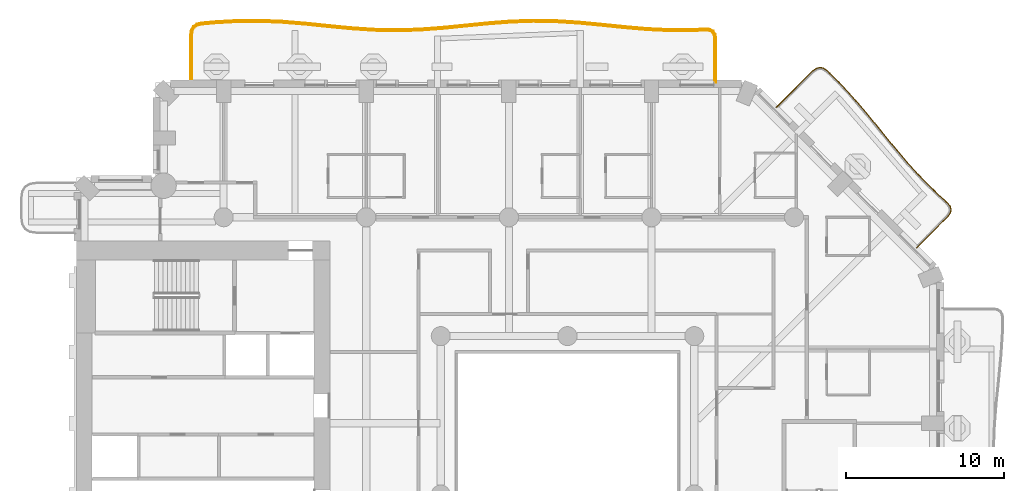
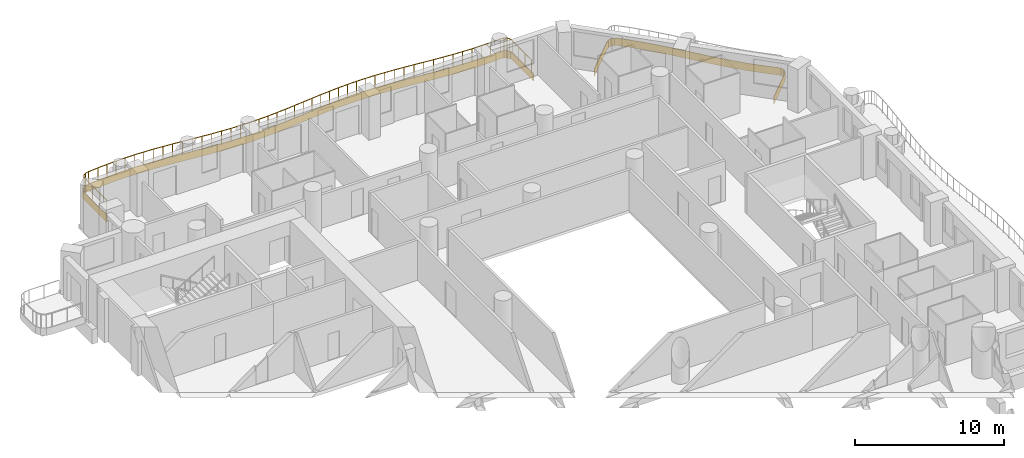
# One storey, part 18 of 20: 2 coverings, 1 railing.
"""IFC4 building model written with IfcOpenShell, lengths in metres."""

from ifc_helpers import new_model, si_unit, direction, frame, origin, origin_2d, place, context, subcontext, project, spatial, polyline, rectangle, outline, extrude, material, layer, layer_set, type_object, element, save


model = new_model("IFC4")

# Units and contexts
model_context = context("Model", 3, precision=1e-05, world=origin(), true_north=direction((0.0, 1.0)))
body_context = subcontext(model_context, "Body", "Model", "MODEL_VIEW")
ifc_project = project(units=[si_unit("LENGTHUNIT", "METRE"), si_unit("AREAUNIT", "SQUARE_METRE"), si_unit("VOLUMEUNIT", "CUBIC_METRE"), si_unit("PLANEANGLEUNIT", "RADIAN"), si_unit("MASSUNIT", "GRAM", prefix="KILO")], contexts=[model_context])

# Site, building, storey
site_placement = place(None, origin())
site = spatial("IfcSite", under=ifc_project, at=site_placement, CompositionType="ELEMENT")
building_placement = place(site_placement, origin())
building = spatial("IfcBuilding", under=site, at=building_placement, Name="Cypress Arch Tower", CompositionType="ELEMENT")
storey_placement = place(building_placement, frame((0.0, 0.0, 62.699951171875)))
storey = spatial("IfcBuildingStorey", under=building, at=storey_placement, Name="L09", CompositionType="ELEMENT", Elevation=62.699951171875)

# Coverings
ifc_material_1 = material(Name="White powder-coated aluminium fascia", Category="aluminium")
ifc_layer = layer(ifc_material_1, 0.050048828125)
ifc_layer_set = layer_set([ifc_layer], Name="Balcony fascia BF50")
covering_type = type_object("IfcCoveringType", Name="Balcony fascia BF50", PredefinedType="CLADDING", material=ifc_layer_set)
covering_1_placement = place(storey_placement, frame((0.0, 0.0, -0.599853515625)))
element("IfcCovering", 1, at=covering_1_placement, inside=storey, type_object=covering_type, Name="Balcony fascia L09-A07", PredefinedType="CLADDING", context=body_context, shape_type="SweptSolid", body=[
    extrude(outline(polyline([(16.455810546875, 26.74462890625), (16.687744140625, 26.918701171875), (16.931396484375, 26.98095703125), (17.176025390625, 26.92333984375), (17.4111328125, 26.753662109375), (17.963623046875, 26.2216796875), (18.9150390625, 25.21044921875), (19.82421875, 24.157470703125), (20.70751953125, 23.080322265625), (21.587158203125, 22.0009765625), (22.48583984375, 20.942138671875), (23.42236328125, 19.922119140625), (24.406494140625, 18.9501953125), (24.97607421875, 18.438720703125), (25.16064453125, 18.2177734375), (25.229736328125, 17.98193359375), (25.173583984375, 17.74267578125), (25.0009765625, 17.51220703125), (23.045166015625, 15.556396484375), (23.009765625, 15.591796875), (24.963134765625, 17.544921875), (25.127197265625, 17.764404296875), (25.177978515625, 17.98046875), (25.11572265625, 18.193603515625), (24.93994140625, 18.40380859375), (24.372314453125, 18.913818359375), (23.386474609375, 19.887451171875), (22.448486328125, 20.9091796875), (21.548583984375, 21.968994140625), (20.6689453125, 23.048583984375), (19.7861328125, 24.12548828125), (18.8779296875, 25.1767578125), (17.92822265625, 26.1865234375), (17.37890625, 26.71533203125), (17.15478515625, 26.876953125), (16.931884765625, 26.929443359375), (16.709716796875, 26.872802734375), (16.48876953125, 26.706787109375), (14.191650390625, 24.40966796875), (14.15625, 24.445068359375), (16.455810546875, 26.74462890625)])), origin(), (0.0, 0.0, 1.0), 0.599853515625),
])
covering_2_placement = place(storey_placement, frame((0.0, 0.0, -0.599853515625)))
element("IfcCovering", 2, at=covering_2_placement, inside=storey, type_object=covering_type, Name="Balcony fascia L09-A08", PredefinedType="CLADDING", context=body_context, shape_type="SweptSolid", body=[
    extrude(outline(polyline([(-22.800048828125, 29.020751953125), (-22.7578125, 29.32177734375), (-22.6259765625, 29.554443359375), (-22.406494140625, 29.706787109375), (-22.1103515625, 29.776611328125), (-21.314697265625, 29.849853515625), (-19.873291015625, 29.932861328125), (-18.431884765625, 29.946044921875), (-16.990478515625, 29.885986328125), (-15.5498046875, 29.767333984375), (-14.1103515625, 29.619873046875), (-12.671875, 29.47998046875), (-11.234619140625, 29.382080078125), (-9.798095703125, 29.35009765625), (-8.361328125, 29.392333984375), (-6.923828125, 29.498046875), (-5.4853515625, 29.641357421875), (-4.045654296875, 29.786865234375), (-2.60498046875, 29.8984375), (-1.16357421875, 29.94873046875), (0.278076171875, 29.925048828125), (1.71923828125, 29.833251953125), (3.1591796875, 29.6962890625), (4.59814453125, 29.5478515625), (6.035888671875, 29.4248046875), (7.472900390625, 29.357177734375), (8.909423828125, 29.36181640625), (9.703369140625, 29.40380859375), (10.00048828125, 29.376953125), (10.2236328125, 29.254638671875), (10.357421875, 29.038330078125), (10.39990234375, 28.742919921875), (10.39990234375, 26.0009765625), (10.35009765625, 26.0009765625), (10.35009765625, 28.7392578125), (10.3095703125, 29.02099609375), (10.18798828125, 29.21728515625), (9.98583984375, 29.328125), (9.702392578125, 29.353759765625), (8.910888671875, 29.31201171875), (7.4716796875, 29.30712890625), (6.03271484375, 29.374755859375), (4.593505859375, 29.498046875), (3.154296875, 29.646484375), (1.71533203125, 29.783447265625), (0.276123046875, 29.875), (-1.1630859375, 29.898681640625), (-2.602294921875, 29.8486328125), (-4.041259765625, 29.737060546875), (-5.48046875, 29.591552734375), (-6.919677734375, 29.4482421875), (-8.358642578125, 29.34228515625), (-9.7978515625, 29.30029296875), (-11.237060546875, 29.33203125), (-12.676025390625, 29.43017578125), (-14.115234375, 29.5703125), (-15.554443359375, 29.717529296875), (-16.993408203125, 29.8359375), (-18.4326171875, 29.89599609375), (-19.871826171875, 29.8828125), (-21.310791015625, 29.7998046875), (-22.102294921875, 29.72705078125), (-22.3857421875, 29.660400390625), (-22.588134765625, 29.519775390625), (-22.70947265625, 29.305419921875), (-22.75, 29.01708984375), (-22.75, 26.0009765625), (-22.800048828125, 26.0009765625), (-22.800048828125, 29.020751953125)])), origin(), (0.0, 0.0, 1.0), 0.599853515625),
])

# Railing
ifc_material_2 = material(Name="Powder-coated steel posts and rods, 100 mm clear between rods", Category="steel")
railing_type = type_object("IfcRailingType", Name="Balcony guard GR1100", PredefinedType="GUARDRAIL", material=ifc_material_2)
railing_placement = place(storey_placement, frame((-22.699951171875, 26.14990234375, 0.0)))
element("IfcRailing", 3, at=railing_placement, inside=storey, type_object=railing_type, Name="Balcony guard L09-A08", PredefinedType="GUARDRAIL", context=body_context, shape_type="SweptSolid", body=[
    extrude(rectangle(XDim=0.050048828125, YDim=0.050048828125, at=origin_2d()), frame((0.0, 0.0, 1.0751953125), z_axis=(0.0, 1.0, 0.0), x_axis=(-1.0, 0.0, 0.0)), (0.0, 0.0, 1.0), 2.86376953125),
    extrude(rectangle(XDim=0.050048828125, YDim=0.050048828125, at=origin_2d()), frame((0.0, 2.86376953125, 1.0751953125), z_axis=(0.13871673035, 0.990332100217, 0.0), x_axis=(-0.990332100217, 0.13871673035, 0.0)), (0.0, 0.0, 1.0), 0.278076171875),
    extrude(rectangle(XDim=0.050048828125, YDim=0.050048828125, at=origin_2d()), frame((0.03857421875, 3.13916015625, 1.0751953125), z_axis=(0.492520878241, 0.870300628804, 0.0), x_axis=(-0.870300628804, 0.492520878241, 0.0)), (0.0, 0.0, 1.0), 0.2255859375),
    extrude(rectangle(XDim=0.050048828125, YDim=0.050048828125, at=origin_2d()), frame((0.149658203125, 3.33544921875, 1.0751953125), z_axis=(0.821919206985, 0.569604088108, 0.0), x_axis=(-0.569604088108, 0.821919206985, 0.0)), (0.0, 0.0, 1.0), 0.225341796875),
    extrude(rectangle(XDim=0.050048828125, YDim=0.050048828125, at=origin_2d()), frame((0.3349609375, 3.4638671875, 1.0751953125), z_axis=(0.973405655855, 0.229088256247, 0.0), x_axis=(-0.229088256247, 0.973405655855, 0.0)), (0.0, 0.0, 1.0), 0.278076171875),
    extrude(rectangle(XDim=0.050048828125, YDim=0.050048828125, at=origin_2d()), frame((0.605712890625, 3.527587890625, 1.0751953125), z_axis=(0.995783623955, 0.091733168832, 0.0), x_axis=(-0.091733168832, 0.995783623955, 0.0)), (0.0, 0.0, 1.0), 0.79052734375),
    extrude(rectangle(XDim=0.050048828125, YDim=0.050048828125, at=origin_2d()), frame((1.392822265625, 3.60009765625, 1.0751953125), z_axis=(0.998335812911, 0.057668055792, 0.0), x_axis=(-0.057668055792, 0.998335812911, 0.0)), (0.0, 0.0, 1.0), 1.439453125),
    extrude(rectangle(XDim=0.050048828125, YDim=0.050048828125, at=origin_2d()), frame((2.829833984375, 3.68310546875, 1.0751953125), z_axis=(0.999959448923, 0.009005582123, 0.0), x_axis=(-0.009005582123, 0.999959448923, 0.0)), (0.0, 0.0, 1.0), 1.436767578125),
    extrude(rectangle(XDim=0.050048828125, YDim=0.050048828125, at=origin_2d()), frame((4.2666015625, 3.696044921875, 1.0751953125), z_axis=(0.999134543668, -0.041595235888, 0.0), x_axis=(0.041595235888, 0.999134543668, 0.0)), (0.0, 0.0, 1.0), 1.43798828125),
    extrude(rectangle(XDim=0.050048828125, YDim=0.050048828125, at=origin_2d()), frame((5.703369140625, 3.63623046875, 1.0751953125), z_axis=(0.996639652068, -0.081910951197, 0.0), x_axis=(0.081910951197, 0.996639652068, 0.0)), (0.0, 0.0, 1.0), 1.442626953125),
    extrude(rectangle(XDim=0.050048828125, YDim=0.050048828125, at=origin_2d()), frame((7.14111328125, 3.51806640625, 1.0751953125), z_axis=(0.994788465361, -0.101960331423, 0.0), x_axis=(0.101960331423, 0.994788465361, 0.0)), (0.0, 0.0, 1.0), 1.4462890625),
    extrude(rectangle(XDim=0.050048828125, YDim=0.050048828125, at=origin_2d()), frame((8.579833984375, 3.37060546875, 1.0751953125), z_axis=(0.995297676193, -0.096863490359, 0.0), x_axis=(0.096863490359, 0.995297676193, 0.0)), (0.0, 0.0, 1.0), 1.44677734375),
    extrude(rectangle(XDim=0.050048828125, YDim=0.050048828125, at=origin_2d()), frame((10.019775390625, 3.23046875, 1.0751953125), z_axis=(0.997688383516, -0.067955054248, 0.0), x_axis=(0.067955054248, 0.997688383516, 0.0)), (0.0, 0.0, 1.0), 1.4443359375),
    extrude(rectangle(XDim=0.050048828125, YDim=0.050048828125, at=origin_2d()), frame((11.460693359375, 3.13232421875, 1.0751953125), z_axis=(0.999754012792, -0.022179132206, 0.0), x_axis=(0.022179132206, 0.999754012792, 0.0)), (0.0, 0.0, 1.0), 1.44189453125),
    extrude(rectangle(XDim=0.050048828125, YDim=0.050048828125, at=origin_2d()), frame((12.90234375, 3.100341796875, 1.0751953125), z_axis=(0.999570967736, 0.029289596446, 0.0), x_axis=(-0.029289596446, 0.999570967736, 0.0)), (0.0, 0.0, 1.0), 1.442138671875),
    extrude(rectangle(XDim=0.050048828125, YDim=0.050048828125, at=origin_2d()), frame((14.34375, 3.142578125, 1.0751953125), z_axis=(0.997307261807, 0.073336386246, 0.0), x_axis=(-0.073336386246, 0.997307261807, 0.0)), (0.0, 0.0, 1.0), 1.44482421875),
    extrude(rectangle(XDim=0.050048828125, YDim=0.050048828125, at=origin_2d()), frame((15.78466796875, 3.24853515625, 1.0751953125), z_axis=(0.995083852887, 0.099035981968, 0.0), x_axis=(-0.099035981968, 0.995083852887, 0.0)), (0.0, 0.0, 1.0), 1.447021484375),
    extrude(rectangle(XDim=0.050048828125, YDim=0.050048828125, at=origin_2d()), frame((17.224609375, 3.391845703125, 1.0751953125), z_axis=(0.994922852849, 0.100640532977, 0.0), x_axis=(-0.100640532977, 0.994922852849, 0.0)), (0.0, 0.0, 1.0), 1.44580078125),
    extrude(rectangle(XDim=0.050048828125, YDim=0.050048828125, at=origin_2d()), frame((18.6630859375, 3.537353515625, 1.0751953125), z_axis=(0.997014508637, 0.077214438848, 0.0), x_axis=(-0.077214438848, 0.997014508637, 0.0)), (0.0, 0.0, 1.0), 1.44189453125),
    extrude(rectangle(XDim=0.050048828125, YDim=0.050048828125, at=origin_2d()), frame((20.1005859375, 3.648681640625, 1.0751953125), z_axis=(0.999393836513, 0.034813209258, 0.0), x_axis=(-0.034813209258, 0.999393836513, 0.0)), (0.0, 0.0, 1.0), 1.437744140625),
    extrude(rectangle(XDim=0.050048828125, YDim=0.050048828125, at=origin_2d()), frame((21.537353515625, 3.69873046875, 1.0751953125), z_axis=(0.999866975121, -0.016310489314, 0.0), x_axis=(0.016310489314, 0.999866975121, 0.0)), (0.0, 0.0, 1.0), 1.43701171875),
    extrude(rectangle(XDim=0.050048828125, YDim=0.050048828125, at=origin_2d()), frame((22.97412109375, 3.67529296875, 1.0751953125), z_axis=(0.997976643693, -0.063581590449, 0.0), x_axis=(0.063581590449, 0.997976643693, 0.0)), (0.0, 0.0, 1.0), 1.43994140625),
    extrude(rectangle(XDim=0.050048828125, YDim=0.050048828125, at=origin_2d()), frame((24.4111328125, 3.583740234375, 1.0751953125), z_axis=(0.995496232049, -0.094801118007, 0.0), x_axis=(0.094801118007, 0.995496232049, 0.0)), (0.0, 0.0, 1.0), 1.44482421875),
    extrude(rectangle(XDim=0.050048828125, YDim=0.050048828125, at=origin_2d()), frame((25.849365234375, 3.44677734375, 1.0751953125), z_axis=(0.994725087, -0.102576806801, 0.0), x_axis=(0.102576806801, 0.994725087, 0.0)), (0.0, 0.0, 1.0), 1.447021484375),
    extrude(rectangle(XDim=0.050048828125, YDim=0.050048828125, at=origin_2d()), frame((27.288818359375, 3.29833984375, 1.0751953125), z_axis=(0.996356905666, -0.085281396163, 0.0), x_axis=(0.085281396163, 0.996356905666, 0.0)), (0.0, 0.0, 1.0), 1.44580078125),
    extrude(rectangle(XDim=0.050048828125, YDim=0.050048828125, at=origin_2d()), frame((28.729248046875, 3.175048828125, 1.0751953125), z_axis=(0.998893260383, -0.047034608128, 0.0), x_axis=(0.047034608128, 0.998893260383, 0.0)), (0.0, 0.0, 1.0), 1.443115234375),
    extrude(rectangle(XDim=0.050048828125, YDim=0.050048828125, at=origin_2d()), frame((30.170654296875, 3.107177734375, 1.0751953125), z_axis=(0.9999942643, 0.003386940777, 0.0), x_axis=(-0.003386940777, 0.9999942643, 0.0)), (0.0, 0.0, 1.0), 1.441650390625),
    extrude(rectangle(XDim=0.050048828125, YDim=0.050048828125, at=origin_2d()), frame((31.6123046875, 3.112060546875, 1.0751953125), z_axis=(0.998619535871, 0.052526398855, 0.0), x_axis=(-0.052526398855, 0.998619535871, 0.0)), (0.0, 0.0, 1.0), 0.7900390625),
    extrude(rectangle(XDim=0.050048828125, YDim=0.050048828125, at=origin_2d()), frame((32.4013671875, 3.153564453125, 1.0751953125), z_axis=(0.996003382405, -0.089315520705, 0.0), x_axis=(0.089315520705, 0.996003382405, 0.0)), (0.0, 0.0, 1.0), 0.2705078125),
    extrude(rectangle(XDim=0.050048828125, YDim=0.050048828125, at=origin_2d()), frame((32.6708984375, 3.12939453125, 1.0751953125), z_axis=(0.876812408671, -0.480832611207, 0.0), x_axis=(0.480832611207, 0.876812408671, 0.0)), (0.0, 0.0, 1.0), 0.207275390625),
    extrude(rectangle(XDim=0.050048828125, YDim=0.050048828125, at=origin_2d()), frame((32.8525390625, 3.02978515625, 1.0751953125), z_axis=(0.525543053659, -0.850767006148, 0.0), x_axis=(0.850767006148, 0.525543053659, 0.0)), (0.0, 0.0, 1.0), 0.207275390625),
    extrude(rectangle(XDim=0.050048828125, YDim=0.050048828125, at=origin_2d()), frame((32.96142578125, 2.853515625, 1.0751953125), z_axis=(0.142685543184, -0.989768071705, 0.0), x_axis=(0.989768071705, 0.142685543184, 0.0)), (0.0, 0.0, 1.0), 0.270263671875),
    extrude(rectangle(XDim=0.050048828125, YDim=0.050048828125, at=origin_2d()), frame((33.0, 2.5859375, 1.0751953125), z_axis=(0.0, -1.0, 0.0), x_axis=(1.0, 0.0, 0.0)), (0.0, 0.0, 1.0), 2.5859375),
    extrude(rectangle(XDim=0.0400390625, YDim=0.0400390625, at=origin_2d()), origin(), (0.0, 0.0, 1.0), 1.050048828125),
    extrude(rectangle(XDim=0.0400390625, YDim=0.0400390625, at=origin_2d()), frame((0.0, 0.95458984375, 0.0)), (0.0, 0.0, 1.0), 1.050048828125),
    extrude(rectangle(XDim=0.0400390625, YDim=0.0400390625, at=origin_2d()), frame((0.0, 1.9091796875, 0.0)), (0.0, 0.0, 1.0), 1.050048828125),
    extrude(rectangle(XDim=0.0400390625, YDim=0.0400390625, at=origin_2d()), frame((0.0, 2.86376953125, 0.0)), (0.0, 0.0, 1.0), 1.050048828125),
    extrude(rectangle(XDim=0.0400390625, YDim=0.0400390625, at=origin_2d()), frame((0.03857421875, 3.13916015625, 0.0)), (0.0, 0.0, 1.0), 1.050048828125),
    extrude(rectangle(XDim=0.0400390625, YDim=0.0400390625, at=origin_2d()), frame((0.149658203125, 3.33544921875, 0.0)), (0.0, 0.0, 1.0), 1.050048828125),
    extrude(rectangle(XDim=0.0400390625, YDim=0.0400390625, at=origin_2d()), frame((0.3349609375, 3.4638671875, 0.0)), (0.0, 0.0, 1.0), 1.050048828125),
    extrude(rectangle(XDim=0.0400390625, YDim=0.0400390625, at=origin_2d()), frame((0.605712890625, 3.527587890625, 0.0)), (0.0, 0.0, 1.0), 1.050048828125),
    extrude(rectangle(XDim=0.0400390625, YDim=0.0400390625, at=origin_2d()), frame((1.392822265625, 3.60009765625, 0.0)), (0.0, 0.0, 1.0), 1.050048828125),
    extrude(rectangle(XDim=0.0400390625, YDim=0.0400390625, at=origin_2d()), frame((2.111328125, 3.6416015625, 0.0)), (0.0, 0.0, 1.0), 1.050048828125),
    extrude(rectangle(XDim=0.0400390625, YDim=0.0400390625, at=origin_2d()), frame((2.829833984375, 3.68310546875, 0.0)), (0.0, 0.0, 1.0), 1.050048828125),
    extrude(rectangle(XDim=0.0400390625, YDim=0.0400390625, at=origin_2d()), frame((3.54833984375, 3.689453125, 0.0)), (0.0, 0.0, 1.0), 1.050048828125),
    extrude(rectangle(XDim=0.0400390625, YDim=0.0400390625, at=origin_2d()), frame((4.2666015625, 3.696044921875, 0.0)), (0.0, 0.0, 1.0), 1.050048828125),
    extrude(rectangle(XDim=0.0400390625, YDim=0.0400390625, at=origin_2d()), frame((4.98486328125, 3.666015625, 0.0)), (0.0, 0.0, 1.0), 1.050048828125),
    extrude(rectangle(XDim=0.0400390625, YDim=0.0400390625, at=origin_2d()), frame((5.703369140625, 3.63623046875, 0.0)), (0.0, 0.0, 1.0), 1.050048828125),
    extrude(rectangle(XDim=0.0400390625, YDim=0.0400390625, at=origin_2d()), frame((6.42236328125, 3.5771484375, 0.0)), (0.0, 0.0, 1.0), 1.050048828125),
    extrude(rectangle(XDim=0.0400390625, YDim=0.0400390625, at=origin_2d()), frame((7.14111328125, 3.51806640625, 0.0)), (0.0, 0.0, 1.0), 1.050048828125),
    extrude(rectangle(XDim=0.0400390625, YDim=0.0400390625, at=origin_2d()), frame((7.8603515625, 3.4443359375, 0.0)), (0.0, 0.0, 1.0), 1.050048828125),
    extrude(rectangle(XDim=0.0400390625, YDim=0.0400390625, at=origin_2d()), frame((8.579833984375, 3.37060546875, 0.0)), (0.0, 0.0, 1.0), 1.050048828125),
    extrude(rectangle(XDim=0.0400390625, YDim=0.0400390625, at=origin_2d()), frame((9.2998046875, 3.300537109375, 0.0)), (0.0, 0.0, 1.0), 1.050048828125),
    extrude(rectangle(XDim=0.0400390625, YDim=0.0400390625, at=origin_2d()), frame((10.019775390625, 3.23046875, 0.0)), (0.0, 0.0, 1.0), 1.050048828125),
    extrude(rectangle(XDim=0.0400390625, YDim=0.0400390625, at=origin_2d()), frame((10.740234375, 3.181396484375, 0.0)), (0.0, 0.0, 1.0), 1.050048828125),
    extrude(rectangle(XDim=0.0400390625, YDim=0.0400390625, at=origin_2d()), frame((11.460693359375, 3.13232421875, 0.0)), (0.0, 0.0, 1.0), 1.050048828125),
    extrude(rectangle(XDim=0.0400390625, YDim=0.0400390625, at=origin_2d()), frame((12.181640625, 3.1162109375, 0.0)), (0.0, 0.0, 1.0), 1.050048828125),
    extrude(rectangle(XDim=0.0400390625, YDim=0.0400390625, at=origin_2d()), frame((12.90234375, 3.100341796875, 0.0)), (0.0, 0.0, 1.0), 1.050048828125),
    extrude(rectangle(XDim=0.0400390625, YDim=0.0400390625, at=origin_2d()), frame((13.623046875, 3.12158203125, 0.0)), (0.0, 0.0, 1.0), 1.050048828125),
    extrude(rectangle(XDim=0.0400390625, YDim=0.0400390625, at=origin_2d()), frame((14.34375, 3.142578125, 0.0)), (0.0, 0.0, 1.0), 1.050048828125),
    extrude(rectangle(XDim=0.0400390625, YDim=0.0400390625, at=origin_2d()), frame((15.064208984375, 3.195556640625, 0.0)), (0.0, 0.0, 1.0), 1.050048828125),
    extrude(rectangle(XDim=0.0400390625, YDim=0.0400390625, at=origin_2d()), frame((15.78466796875, 3.24853515625, 0.0)), (0.0, 0.0, 1.0), 1.050048828125),
    extrude(rectangle(XDim=0.0400390625, YDim=0.0400390625, at=origin_2d()), frame((16.504638671875, 3.3203125, 0.0)), (0.0, 0.0, 1.0), 1.050048828125),
    extrude(rectangle(XDim=0.0400390625, YDim=0.0400390625, at=origin_2d()), frame((17.224609375, 3.391845703125, 0.0)), (0.0, 0.0, 1.0), 1.050048828125),
    extrude(rectangle(XDim=0.0400390625, YDim=0.0400390625, at=origin_2d()), frame((17.94384765625, 3.464599609375, 0.0)), (0.0, 0.0, 1.0), 1.050048828125),
    extrude(rectangle(XDim=0.0400390625, YDim=0.0400390625, at=origin_2d()), frame((18.6630859375, 3.537353515625, 0.0)), (0.0, 0.0, 1.0), 1.050048828125),
    extrude(rectangle(XDim=0.0400390625, YDim=0.0400390625, at=origin_2d()), frame((19.3818359375, 3.593017578125, 0.0)), (0.0, 0.0, 1.0), 1.050048828125),
    extrude(rectangle(XDim=0.0400390625, YDim=0.0400390625, at=origin_2d()), frame((20.1005859375, 3.648681640625, 0.0)), (0.0, 0.0, 1.0), 1.050048828125),
    extrude(rectangle(XDim=0.0400390625, YDim=0.0400390625, at=origin_2d()), frame((20.81884765625, 3.673828125, 0.0)), (0.0, 0.0, 1.0), 1.050048828125),
    extrude(rectangle(XDim=0.0400390625, YDim=0.0400390625, at=origin_2d()), frame((21.537353515625, 3.69873046875, 0.0)), (0.0, 0.0, 1.0), 1.050048828125),
    extrude(rectangle(XDim=0.0400390625, YDim=0.0400390625, at=origin_2d()), frame((22.255859375, 3.68701171875, 0.0)), (0.0, 0.0, 1.0), 1.050048828125),
    extrude(rectangle(XDim=0.0400390625, YDim=0.0400390625, at=origin_2d()), frame((22.97412109375, 3.67529296875, 0.0)), (0.0, 0.0, 1.0), 1.050048828125),
    extrude(rectangle(XDim=0.0400390625, YDim=0.0400390625, at=origin_2d()), frame((23.692626953125, 3.62939453125, 0.0)), (0.0, 0.0, 1.0), 1.050048828125),
    extrude(rectangle(XDim=0.0400390625, YDim=0.0400390625, at=origin_2d()), frame((24.4111328125, 3.583740234375, 0.0)), (0.0, 0.0, 1.0), 1.050048828125),
    extrude(rectangle(XDim=0.0400390625, YDim=0.0400390625, at=origin_2d()), frame((25.13037109375, 3.51513671875, 0.0)), (0.0, 0.0, 1.0), 1.050048828125),
    extrude(rectangle(XDim=0.0400390625, YDim=0.0400390625, at=origin_2d()), frame((25.849365234375, 3.44677734375, 0.0)), (0.0, 0.0, 1.0), 1.050048828125),
    extrude(rectangle(XDim=0.0400390625, YDim=0.0400390625, at=origin_2d()), frame((26.569091796875, 3.37255859375, 0.0)), (0.0, 0.0, 1.0), 1.050048828125),
    extrude(rectangle(XDim=0.0400390625, YDim=0.0400390625, at=origin_2d()), frame((27.288818359375, 3.29833984375, 0.0)), (0.0, 0.0, 1.0), 1.050048828125),
    extrude(rectangle(XDim=0.0400390625, YDim=0.0400390625, at=origin_2d()), frame((28.009033203125, 3.23681640625, 0.0)), (0.0, 0.0, 1.0), 1.050048828125),
    extrude(rectangle(XDim=0.0400390625, YDim=0.0400390625, at=origin_2d()), frame((28.729248046875, 3.175048828125, 0.0)), (0.0, 0.0, 1.0), 1.050048828125),
    extrude(rectangle(XDim=0.0400390625, YDim=0.0400390625, at=origin_2d()), frame((29.449951171875, 3.14111328125, 0.0)), (0.0, 0.0, 1.0), 1.050048828125),
    extrude(rectangle(XDim=0.0400390625, YDim=0.0400390625, at=origin_2d()), frame((30.170654296875, 3.107177734375, 0.0)), (0.0, 0.0, 1.0), 1.050048828125),
    extrude(rectangle(XDim=0.0400390625, YDim=0.0400390625, at=origin_2d()), frame((30.8916015625, 3.109619140625, 0.0)), (0.0, 0.0, 1.0), 1.050048828125),
    extrude(rectangle(XDim=0.0400390625, YDim=0.0400390625, at=origin_2d()), frame((31.6123046875, 3.112060546875, 0.0)), (0.0, 0.0, 1.0), 1.050048828125),
    extrude(rectangle(XDim=0.0400390625, YDim=0.0400390625, at=origin_2d()), frame((32.4013671875, 3.153564453125, 0.0)), (0.0, 0.0, 1.0), 1.050048828125),
    extrude(rectangle(XDim=0.0400390625, YDim=0.0400390625, at=origin_2d()), frame((32.6708984375, 3.12939453125, 0.0)), (0.0, 0.0, 1.0), 1.050048828125),
    extrude(rectangle(XDim=0.0400390625, YDim=0.0400390625, at=origin_2d()), frame((32.8525390625, 3.02978515625, 0.0)), (0.0, 0.0, 1.0), 1.050048828125),
    extrude(rectangle(XDim=0.0400390625, YDim=0.0400390625, at=origin_2d()), frame((32.96142578125, 2.853515625, 0.0)), (0.0, 0.0, 1.0), 1.050048828125),
    extrude(rectangle(XDim=0.0400390625, YDim=0.0400390625, at=origin_2d()), frame((33.0, 2.5859375, 0.0)), (0.0, 0.0, 1.0), 1.050048828125),
    extrude(rectangle(XDim=0.0400390625, YDim=0.0400390625, at=origin_2d()), frame((33.0, 1.723876953125, 0.0)), (0.0, 0.0, 1.0), 1.050048828125),
    extrude(rectangle(XDim=0.0400390625, YDim=0.0400390625, at=origin_2d()), frame((33.0, 0.862060546875, 0.0)), (0.0, 0.0, 1.0), 1.050048828125),
    extrude(rectangle(XDim=0.0400390625, YDim=0.0400390625, at=origin_2d()), frame((33.0, 0.0, 0.0)), (0.0, 0.0, 1.0), 1.050048828125),
])

save(model, "model.ifc")
